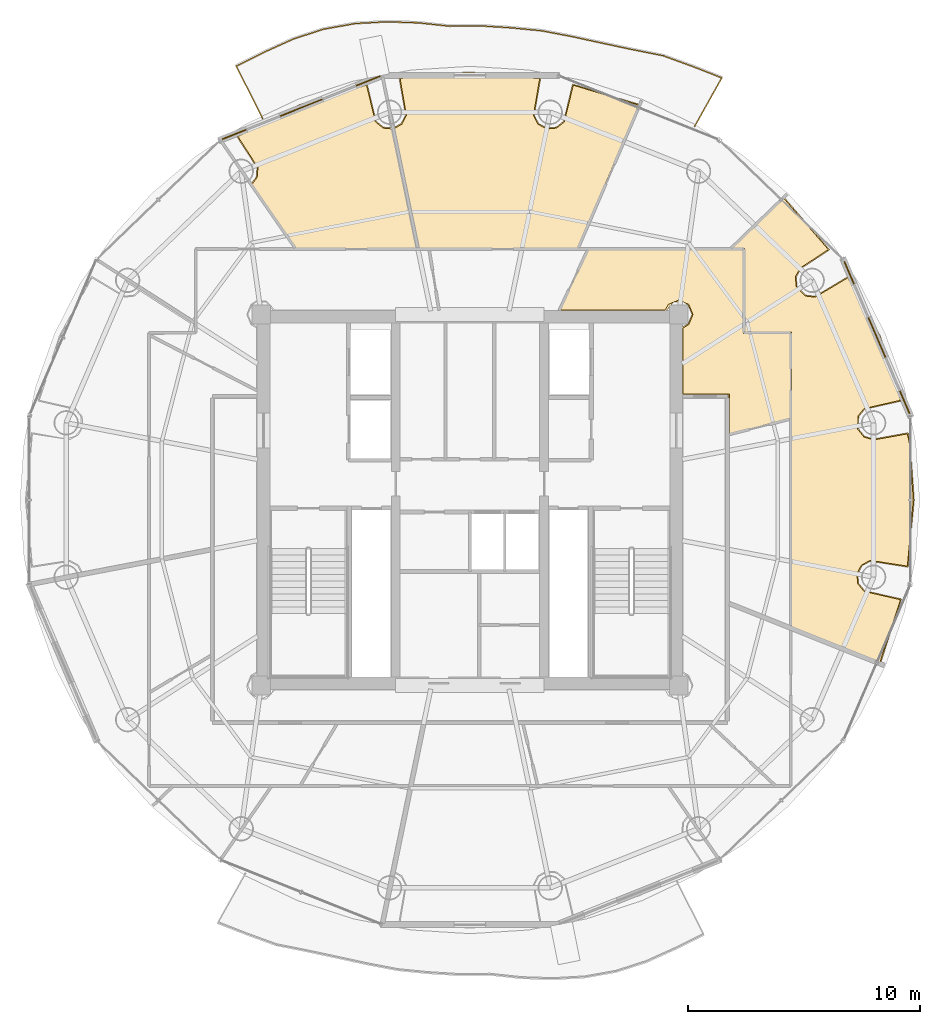
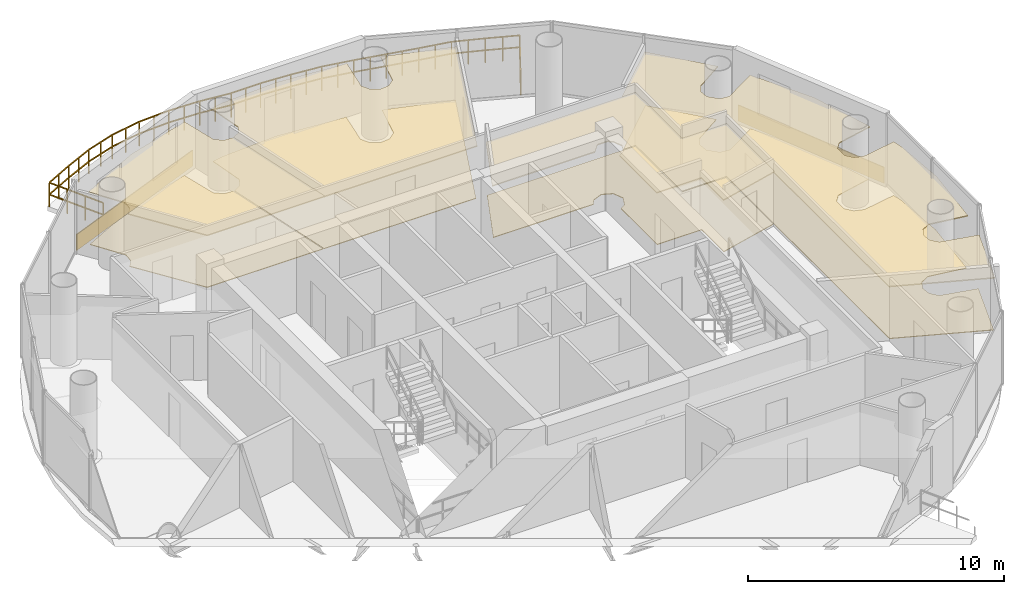
# One storey, part 23 of 23: 10 coverings, 1 railing.
"""IFC4 building model written with IfcOpenShell, lengths in metres."""

from ifc_helpers import new_model, si_unit, direction, frame, origin, origin_2d, place, context, subcontext, project, spatial, polyline, rectangle, outline, extrude, source, transform, mapped, material, layer, layer_set, type_object, element, save


model = new_model("IFC4")

# Units and contexts
model_context = context("Model", 3, precision=1e-05, world=origin(), true_north=direction((-0.2419218956, 0.970295726276)))
body_context = subcontext(model_context, "Body", "Model", "MODEL_VIEW")
ifc_project = project(units=[si_unit("LENGTHUNIT", "METRE"), si_unit("AREAUNIT", "SQUARE_METRE"), si_unit("VOLUMEUNIT", "CUBIC_METRE"), si_unit("PLANEANGLEUNIT", "RADIAN"), si_unit("MASSUNIT", "GRAM", prefix="KILO")], contexts=[model_context])

# Site, building, storey
site_placement = place(None, origin())
site = spatial("IfcSite", under=ifc_project, at=site_placement, CompositionType="ELEMENT")
building_placement = place(site_placement, origin())
building = spatial("IfcBuilding", under=site, at=building_placement, Name="Cobrevalo Terracotta Tower", CompositionType="ELEMENT")
storey_placement = place(building_placement, frame((0.0, 0.0, 255.699951171875)))
storey = spatial("IfcBuildingStorey", under=building, at=storey_placement, Name="L67", CompositionType="ELEMENT", Elevation=255.699951171875)

# Railing
ifc_material_1 = material(Name="Laminated structural glass and stainless steel", Category="steel")
railing_type = type_object("IfcRailingType", Name="Balcony lobe structural glass & terracotta-cap balustrade 1180 mm", PredefinedType="BALUSTRADE", material=ifc_material_1)
railing_placement = place(storey_placement, frame((47.685791015625, 42.896728515625, 0.0)))
element("IfcRailing", 1, at=railing_placement, inside=storey, type_object=railing_type, Name="L67 spiralling balcony lobe balustrade 1", PredefinedType="BALUSTRADE", context=body_context, shape_type="SweptSolid", body=[
    extrude(rectangle(XDim=0.048095703125, YDim=0.048095703125, at=origin_2d()), frame((0.0, 0.0, 1.15576171875), z_axis=(0.488054896693, 0.872812934032, 0.0), x_axis=(-0.872812934032, 0.488054896693, 0.0)), (0.0, 0.0, 1.0), 2.4130859375),
    extrude(rectangle(XDim=0.048095703125, YDim=0.048095703125, at=origin_2d()), frame((0.0, 0.0, 0.58984375), z_axis=(0.488054896693, 0.872812934032, 0.0), x_axis=(-0.872812934032, 0.488054896693, 0.0)), (0.0, 0.0, 1.0), 2.4130859375),
    extrude(rectangle(XDim=0.048095703125, YDim=0.048095703125, at=origin_2d()), frame((1.177734375, 2.106201171875, 1.15576171875), z_axis=(-0.931213623294, 0.364473850629, 0.0), x_axis=(-0.364473850629, -0.931213623294, 0.0)), (0.0, 0.0, 1.0), 1.359130859375),
    extrude(rectangle(XDim=0.048095703125, YDim=0.048095703125, at=origin_2d()), frame((1.177734375, 2.106201171875, 0.58984375), z_axis=(-0.931213623294, 0.364473850629, 0.0), x_axis=(-0.364473850629, -0.931213623294, 0.0)), (0.0, 0.0, 1.0), 1.359130859375),
    extrude(rectangle(XDim=0.048095703125, YDim=0.048095703125, at=origin_2d()), frame((-0.087890625, 2.6015625, 1.15576171875), z_axis=(-0.940020652617, 0.341117534954, 0.0), x_axis=(-0.341117534954, -0.940020652617, 0.0)), (0.0, 0.0, 1.0), 1.34765625),
    extrude(rectangle(XDim=0.048095703125, YDim=0.048095703125, at=origin_2d()), frame((-0.087890625, 2.6015625, 0.58984375), z_axis=(-0.940020652617, 0.341117534954, 0.0), x_axis=(-0.341117534954, -0.940020652617, 0.0)), (0.0, 0.0, 1.0), 1.34765625),
    extrude(rectangle(XDim=0.048095703125, YDim=0.048095703125, at=origin_2d()), frame((-1.354736328125, 3.061279296875, 1.15576171875), z_axis=(-0.98072598993, 0.195388158994, 0.0), x_axis=(-0.195388158994, -0.98072598993, 0.0)), (0.0, 0.0, 1.0), 1.3544921875),
    extrude(rectangle(XDim=0.048095703125, YDim=0.048095703125, at=origin_2d()), frame((-1.354736328125, 3.061279296875, 0.58984375), z_axis=(-0.98072598993, 0.195388158994, 0.0), x_axis=(-0.195388158994, -0.98072598993, 0.0)), (0.0, 0.0, 1.0), 1.3544921875),
    extrude(rectangle(XDim=0.048095703125, YDim=0.048095703125, at=origin_2d()), frame((-2.68310546875, 3.325927734375, 1.15576171875), z_axis=(-0.978008277413, 0.208566079006, 0.0), x_axis=(-0.208566079006, -0.978008277413, 0.0)), (0.0, 0.0, 1.0), 1.333251953125),
    extrude(rectangle(XDim=0.048095703125, YDim=0.048095703125, at=origin_2d()), frame((-2.68310546875, 3.325927734375, 0.58984375), z_axis=(-0.978008277413, 0.208566079006, 0.0), x_axis=(-0.208566079006, -0.978008277413, 0.0)), (0.0, 0.0, 1.0), 1.333251953125),
    extrude(rectangle(XDim=0.048095703125, YDim=0.048095703125, at=origin_2d()), frame((-3.987060546875, 3.60400390625, 1.15576171875), z_axis=(-0.977016459057, 0.213163877641, 0.0), x_axis=(-0.213163877641, -0.977016459057, 0.0)), (0.0, 0.0, 1.0), 1.3251953125),
    extrude(rectangle(XDim=0.048095703125, YDim=0.048095703125, at=origin_2d()), frame((-3.987060546875, 3.60400390625, 0.58984375), z_axis=(-0.977016459057, 0.213163877641, 0.0), x_axis=(-0.213163877641, -0.977016459057, 0.0)), (0.0, 0.0, 1.0), 1.3251953125),
    extrude(rectangle(XDim=0.048095703125, YDim=0.048095703125, at=origin_2d()), frame((-5.28173828125, 3.886474609375, 1.15576171875), z_axis=(-0.982370761762, 0.186943003175, 0.0), x_axis=(-0.186943003175, -0.982370761762, 0.0)), (0.0, 0.0, 1.0), 1.326904296875),
    extrude(rectangle(XDim=0.048095703125, YDim=0.048095703125, at=origin_2d()), frame((-5.28173828125, 3.886474609375, 0.58984375), z_axis=(-0.982370761762, 0.186943003175, 0.0), x_axis=(-0.186943003175, -0.982370761762, 0.0)), (0.0, 0.0, 1.0), 1.326904296875),
    extrude(rectangle(XDim=0.048095703125, YDim=0.048095703125, at=origin_2d()), frame((-6.585205078125, 4.134521484375, 1.15576171875), z_axis=(-0.995226772001, 0.097589304192, 0.0), x_axis=(-0.097589304192, -0.995226772001, 0.0)), (0.0, 0.0, 1.0), 1.325927734375),
    extrude(rectangle(XDim=0.048095703125, YDim=0.048095703125, at=origin_2d()), frame((-6.585205078125, 4.134521484375, 0.58984375), z_axis=(-0.995226772001, 0.097589304192, 0.0), x_axis=(-0.097589304192, -0.995226772001, 0.0)), (0.0, 0.0, 1.0), 1.325927734375),
    extrude(rectangle(XDim=0.048095703125, YDim=0.048095703125, at=origin_2d()), frame((-7.90478515625, 4.263916015625, 1.15576171875), z_axis=(-0.998067571491, 0.062137933167, 0.0), x_axis=(-0.062137933167, -0.998067571491, 0.0)), (0.0, 0.0, 1.0), 1.328125),
    extrude(rectangle(XDim=0.048095703125, YDim=0.048095703125, at=origin_2d()), frame((-7.90478515625, 4.263916015625, 0.58984375), z_axis=(-0.998067571491, 0.062137933167, 0.0), x_axis=(-0.062137933167, -0.998067571491, 0.0)), (0.0, 0.0, 1.0), 1.328125),
    extrude(rectangle(XDim=0.048095703125, YDim=0.048095703125, at=origin_2d()), frame((-9.230224609375, 4.346435546875, 1.15576171875), z_axis=(-0.999955928065, -0.009388393286, 0.0), x_axis=(0.009388393286, -0.999955928065, 0.0)), (0.0, 0.0, 1.0), 1.326171875),
    extrude(rectangle(XDim=0.048095703125, YDim=0.048095703125, at=origin_2d()), frame((-9.230224609375, 4.346435546875, 0.58984375), z_axis=(-0.999955928065, -0.009388393286, 0.0), x_axis=(0.009388393286, -0.999955928065, 0.0)), (0.0, 0.0, 1.0), 1.326171875),
    extrude(rectangle(XDim=0.048095703125, YDim=0.048095703125, at=origin_2d()), frame((-10.556396484375, 4.333984375, 1.15576171875), z_axis=(-0.994331591514, 0.106323497482, 0.0), x_axis=(-0.106323497482, -0.994331591514, 0.0)), (0.0, 0.0, 1.0), 1.357177734375),
    extrude(rectangle(XDim=0.048095703125, YDim=0.048095703125, at=origin_2d()), frame((-10.556396484375, 4.333984375, 0.58984375), z_axis=(-0.994331591514, 0.106323497482, 0.0), x_axis=(-0.106323497482, -0.994331591514, 0.0)), (0.0, 0.0, 1.0), 1.357177734375),
    extrude(rectangle(XDim=0.048095703125, YDim=0.048095703125, at=origin_2d()), frame((-11.90576171875, 4.478271484375, 1.15576171875), z_axis=(-0.99946419072, 0.032731200233, 0.0), x_axis=(-0.032731200233, -0.99946419072, 0.0)), (0.0, 0.0, 1.0), 1.364990234375),
    extrude(rectangle(XDim=0.048095703125, YDim=0.048095703125, at=origin_2d()), frame((-11.90576171875, 4.478271484375, 0.58984375), z_axis=(-0.99946419072, 0.032731200233, 0.0), x_axis=(-0.032731200233, -0.99946419072, 0.0)), (0.0, 0.0, 1.0), 1.364990234375),
    extrude(rectangle(XDim=0.048095703125, YDim=0.048095703125, at=origin_2d()), frame((-13.27001953125, 4.52294921875, 1.15576171875), z_axis=(-0.99845269063, -0.055607774407, 0.0), x_axis=(0.055607774407, -0.99845269063, 0.0)), (0.0, 0.0, 1.0), 1.374267578125),
    extrude(rectangle(XDim=0.048095703125, YDim=0.048095703125, at=origin_2d()), frame((-13.27001953125, 4.52294921875, 0.58984375), z_axis=(-0.99845269063, -0.055607774407, 0.0), x_axis=(0.055607774407, -0.99845269063, 0.0)), (0.0, 0.0, 1.0), 1.374267578125),
    extrude(rectangle(XDim=0.048095703125, YDim=0.048095703125, at=origin_2d()), frame((-14.64208984375, 4.446533203125, 1.15576171875), z_axis=(-0.9843537128, -0.17620376868, 0.0), x_axis=(0.17620376868, -0.9843537128, 0.0)), (0.0, 0.0, 1.0), 1.370361328125),
    extrude(rectangle(XDim=0.048095703125, YDim=0.048095703125, at=origin_2d()), frame((-14.64208984375, 4.446533203125, 0.58984375), z_axis=(-0.9843537128, -0.17620376868, 0.0), x_axis=(0.17620376868, -0.9843537128, 0.0)), (0.0, 0.0, 1.0), 1.370361328125),
    extrude(rectangle(XDim=0.048095703125, YDim=0.048095703125, at=origin_2d()), frame((-15.990966796875, 4.205078125, 1.15576171875), z_axis=(-0.951372404124, -0.308043095477, 0.0), x_axis=(0.308043095477, -0.951372404124, 0.0)), (0.0, 0.0, 1.0), 1.37109375),
    extrude(rectangle(XDim=0.048095703125, YDim=0.048095703125, at=origin_2d()), frame((-15.990966796875, 4.205078125, 0.58984375), z_axis=(-0.951372404124, -0.308043095477, 0.0), x_axis=(0.308043095477, -0.951372404124, 0.0)), (0.0, 0.0, 1.0), 1.37109375),
    extrude(rectangle(XDim=0.048095703125, YDim=0.048095703125, at=origin_2d()), frame((-17.29541015625, 3.78271484375, 1.15576171875), z_axis=(-0.911044048274, -0.412309037136, 0.0), x_axis=(0.412309037136, -0.911044048274, 0.0)), (0.0, 0.0, 1.0), 1.3671875),
    extrude(rectangle(XDim=0.048095703125, YDim=0.048095703125, at=origin_2d()), frame((-17.29541015625, 3.78271484375, 0.58984375), z_axis=(-0.911044048274, -0.412309037136, 0.0), x_axis=(0.412309037136, -0.911044048274, 0.0)), (0.0, 0.0, 1.0), 1.3671875),
    extrude(rectangle(XDim=0.048095703125, YDim=0.048095703125, at=origin_2d()), frame((-18.541015625, 3.218994140625, 1.15576171875), z_axis=(-0.895178026119, -0.445708763155, 0.0), x_axis=(0.445708763155, -0.895178026119, 0.0)), (0.0, 0.0, 1.0), 1.36328125),
    extrude(rectangle(XDim=0.048095703125, YDim=0.048095703125, at=origin_2d()), frame((-18.541015625, 3.218994140625, 0.58984375), z_axis=(-0.895178026119, -0.445708763155, 0.0), x_axis=(0.445708763155, -0.895178026119, 0.0)), (0.0, 0.0, 1.0), 1.36328125),
    extrude(rectangle(XDim=0.048095703125, YDim=0.048095703125, at=origin_2d()), frame((-19.761474609375, 2.611328125, 1.15576171875), z_axis=(0.4506567589, -0.892697309091, 0.0), x_axis=(0.892697309091, 0.4506567589, 0.0)), (0.0, 0.0, 1.0), 2.521728515625),
    extrude(rectangle(XDim=0.048095703125, YDim=0.048095703125, at=origin_2d()), frame((-19.761474609375, 2.611328125, 0.58984375), z_axis=(0.4506567589, -0.892697309091, 0.0), x_axis=(0.892697309091, 0.4506567589, 0.0)), (0.0, 0.0, 1.0), 2.521728515625),
    extrude(rectangle(XDim=0.0419921875, YDim=0.0419921875, at=origin_2d()), origin(), (0.0, 0.0, 1.0), 1.1318359375),
    extrude(rectangle(XDim=0.0419921875, YDim=0.0419921875, at=origin_2d()), frame((0.392578125, 0.7021484375, 0.0)), (0.0, 0.0, 1.0), 1.1318359375),
    extrude(rectangle(XDim=0.0419921875, YDim=0.0419921875, at=origin_2d()), frame((0.78515625, 1.404052734375, 0.0)), (0.0, 0.0, 1.0), 1.1318359375),
    extrude(rectangle(XDim=0.0419921875, YDim=0.0419921875, at=origin_2d()), frame((1.177734375, 2.106201171875, 0.0)), (0.0, 0.0, 1.0), 1.1318359375),
    extrude(rectangle(XDim=0.0419921875, YDim=0.0419921875, at=origin_2d()), frame((0.544921875, 2.35400390625, 0.0)), (0.0, 0.0, 1.0), 1.1318359375),
    extrude(rectangle(XDim=0.0419921875, YDim=0.0419921875, at=origin_2d()), frame((-0.087890625, 2.6015625, 0.0)), (0.0, 0.0, 1.0), 1.1318359375),
    extrude(rectangle(XDim=0.0419921875, YDim=0.0419921875, at=origin_2d()), frame((-0.72119140625, 2.83154296875, 0.0)), (0.0, 0.0, 1.0), 1.1318359375),
    extrude(rectangle(XDim=0.0419921875, YDim=0.0419921875, at=origin_2d()), frame((-1.354736328125, 3.061279296875, 0.0)), (0.0, 0.0, 1.0), 1.1318359375),
    extrude(rectangle(XDim=0.0419921875, YDim=0.0419921875, at=origin_2d()), frame((-2.01904296875, 3.193603515625, 0.0)), (0.0, 0.0, 1.0), 1.1318359375),
    extrude(rectangle(XDim=0.0419921875, YDim=0.0419921875, at=origin_2d()), frame((-2.68310546875, 3.325927734375, 0.0)), (0.0, 0.0, 1.0), 1.1318359375),
    extrude(rectangle(XDim=0.0419921875, YDim=0.0419921875, at=origin_2d()), frame((-3.3349609375, 3.46484375, 0.0)), (0.0, 0.0, 1.0), 1.1318359375),
    extrude(rectangle(XDim=0.0419921875, YDim=0.0419921875, at=origin_2d()), frame((-3.987060546875, 3.60400390625, 0.0)), (0.0, 0.0, 1.0), 1.1318359375),
    extrude(rectangle(XDim=0.0419921875, YDim=0.0419921875, at=origin_2d()), frame((-4.63427734375, 3.7451171875, 0.0)), (0.0, 0.0, 1.0), 1.1318359375),
    extrude(rectangle(XDim=0.0419921875, YDim=0.0419921875, at=origin_2d()), frame((-5.28173828125, 3.886474609375, 0.0)), (0.0, 0.0, 1.0), 1.1318359375),
    extrude(rectangle(XDim=0.0419921875, YDim=0.0419921875, at=origin_2d()), frame((-5.93359375, 4.010498046875, 0.0)), (0.0, 0.0, 1.0), 1.1318359375),
    extrude(rectangle(XDim=0.0419921875, YDim=0.0419921875, at=origin_2d()), frame((-6.585205078125, 4.134521484375, 0.0)), (0.0, 0.0, 1.0), 1.1318359375),
    extrude(rectangle(XDim=0.0419921875, YDim=0.0419921875, at=origin_2d()), frame((-7.2451171875, 4.19921875, 0.0)), (0.0, 0.0, 1.0), 1.1318359375),
    extrude(rectangle(XDim=0.0419921875, YDim=0.0419921875, at=origin_2d()), frame((-7.90478515625, 4.263916015625, 0.0)), (0.0, 0.0, 1.0), 1.1318359375),
    extrude(rectangle(XDim=0.0419921875, YDim=0.0419921875, at=origin_2d()), frame((-8.5673828125, 4.30517578125, 0.0)), (0.0, 0.0, 1.0), 1.1318359375),
    extrude(rectangle(XDim=0.0419921875, YDim=0.0419921875, at=origin_2d()), frame((-9.230224609375, 4.346435546875, 0.0)), (0.0, 0.0, 1.0), 1.1318359375),
    extrude(rectangle(XDim=0.0419921875, YDim=0.0419921875, at=origin_2d()), frame((-9.893310546875, 4.34033203125, 0.0)), (0.0, 0.0, 1.0), 1.1318359375),
    extrude(rectangle(XDim=0.0419921875, YDim=0.0419921875, at=origin_2d()), frame((-10.556396484375, 4.333984375, 0.0)), (0.0, 0.0, 1.0), 1.1318359375),
    extrude(rectangle(XDim=0.0419921875, YDim=0.0419921875, at=origin_2d()), frame((-11.23095703125, 4.40625, 0.0)), (0.0, 0.0, 1.0), 1.1318359375),
    extrude(rectangle(XDim=0.0419921875, YDim=0.0419921875, at=origin_2d()), frame((-11.90576171875, 4.478271484375, 0.0)), (0.0, 0.0, 1.0), 1.1318359375),
    extrude(rectangle(XDim=0.0419921875, YDim=0.0419921875, at=origin_2d()), frame((-12.587890625, 4.50048828125, 0.0)), (0.0, 0.0, 1.0), 1.1318359375),
    extrude(rectangle(XDim=0.0419921875, YDim=0.0419921875, at=origin_2d()), frame((-13.27001953125, 4.52294921875, 0.0)), (0.0, 0.0, 1.0), 1.1318359375),
    extrude(rectangle(XDim=0.0419921875, YDim=0.0419921875, at=origin_2d()), frame((-13.9560546875, 4.48486328125, 0.0)), (0.0, 0.0, 1.0), 1.1318359375),
    extrude(rectangle(XDim=0.0419921875, YDim=0.0419921875, at=origin_2d()), frame((-14.64208984375, 4.446533203125, 0.0)), (0.0, 0.0, 1.0), 1.1318359375),
    extrude(rectangle(XDim=0.0419921875, YDim=0.0419921875, at=origin_2d()), frame((-15.31640625, 4.32568359375, 0.0)), (0.0, 0.0, 1.0), 1.1318359375),
    extrude(rectangle(XDim=0.0419921875, YDim=0.0419921875, at=origin_2d()), frame((-15.990966796875, 4.205078125, 0.0)), (0.0, 0.0, 1.0), 1.1318359375),
    extrude(rectangle(XDim=0.0419921875, YDim=0.0419921875, at=origin_2d()), frame((-16.64306640625, 3.993896484375, 0.0)), (0.0, 0.0, 1.0), 1.1318359375),
    extrude(rectangle(XDim=0.0419921875, YDim=0.0419921875, at=origin_2d()), frame((-17.29541015625, 3.78271484375, 0.0)), (0.0, 0.0, 1.0), 1.1318359375),
    extrude(rectangle(XDim=0.0419921875, YDim=0.0419921875, at=origin_2d()), frame((-17.918212890625, 3.5009765625, 0.0)), (0.0, 0.0, 1.0), 1.1318359375),
    extrude(rectangle(XDim=0.0419921875, YDim=0.0419921875, at=origin_2d()), frame((-18.541015625, 3.218994140625, 0.0)), (0.0, 0.0, 1.0), 1.1318359375),
    extrude(rectangle(XDim=0.0419921875, YDim=0.0419921875, at=origin_2d()), frame((-19.1513671875, 2.9150390625, 0.0)), (0.0, 0.0, 1.0), 1.1318359375),
    extrude(rectangle(XDim=0.0419921875, YDim=0.0419921875, at=origin_2d()), frame((-19.761474609375, 2.611328125, 0.0)), (0.0, 0.0, 1.0), 1.1318359375),
    extrude(rectangle(XDim=0.0419921875, YDim=0.0419921875, at=origin_2d()), frame((-19.382568359375, 1.86083984375, 0.0)), (0.0, 0.0, 1.0), 1.1318359375),
    extrude(rectangle(XDim=0.0419921875, YDim=0.0419921875, at=origin_2d()), frame((-19.00390625, 1.110595703125, 0.0)), (0.0, 0.0, 1.0), 1.1318359375),
    extrude(rectangle(XDim=0.0419921875, YDim=0.0419921875, at=origin_2d()), frame((-18.625, 0.360107421875, 0.0)), (0.0, 0.0, 1.0), 1.1318359375),
])

# Coverings
ifc_material_2 = material(Name="Engineered Brazilian hardwood flooring", Category="wood")
ifc_layer_1 = layer(ifc_material_2, 0.028076171875)
ifc_layer_set_1 = layer_set([ifc_layer_1], Name="Engineered Brazilian hardwood flooring")
covering_type_1 = type_object("IfcCoveringType", Name="Engineered Hardwood Suite Flooring 28", PredefinedType="FLOORING", material=ifc_layer_set_1)
covering_1_placement = place(storey_placement, origin())
element("IfcCovering", 2, at=covering_1_placement, inside=storey, type_object=covering_type_1, Name="Flat L67A Penthouse Living and Dining Room floor finish", PredefinedType="FLOORING", context=body_context, shape_type="SweptSolid", body=[
    extrude(outline(polyline([(51.52978515625, 39.81396484375), (53.4560546875, 37.599365234375), (52.2451171875, 36.805419921875), (52.035400390625, 36.43017578125), (52.06982421875, 36.001953125), (52.462890625, 35.593994140625), (52.8896484375, 35.5439453125), (54.300048828125, 36.382568359375), (55.66455078125, 33.848876953125), (56.56494140625, 31.1005859375), (55.00244140625, 30.74462890625), (54.727294921875, 30.41455078125), (54.72314453125, 29.84814453125), (54.9931640625, 29.51416015625), (55.4033203125, 29.38623046875), (56.8642578125, 29.65087890625), (56.956298828125, 29.2041015625), (57.119873046875, 26.800048828125), (56.8642578125, 23.948974609375), (55.259033203125, 24.198486328125), (54.881591796875, 23.9931640625), (54.681884765625, 23.612548828125), (54.727294921875, 23.185302734375), (55.00244140625, 22.855224609375), (56.56494140625, 22.49951171875), (55.669921875, 19.766357421875), (51.85498046875, 21.289794921875), (51.85498046875, 34.030029296875), (49.844970703125, 34.030029296875), (49.844970703125, 37.64501953125), (49.27978515625, 37.64501953125), (51.52978515625, 39.81396484375)])), origin(), (0.0, 0.0, 1.0), 0.030029296875),
])
covering_2_placement = place(storey_placement, origin())
element("IfcCovering", 3, at=covering_2_placement, inside=storey, type_object=covering_type_1, Name="Flat L67A Penthouse Family Lounge floor finish", PredefinedType="FLOORING", context=body_context, shape_type="SweptSolid", body=[
    extrude(outline(polyline([(34.71728515625, 42.80712890625), (35.064453125, 43.003173828125), (35.26416015625, 43.3837890625), (34.994140625, 44.964599609375), (35.504150390625, 45.062255859375), (38.0, 45.219970703125), (41.005859375, 44.964599609375), (40.73583984375, 43.3837890625), (40.935546875, 43.003173828125), (41.312744140625, 42.797607421875), (41.74072265625, 42.83642578125), (42.074951171875, 43.1064453125), (42.45947265625, 44.68603515625), (45.294189453125, 43.8251953125), (42.638427734375, 37.64501953125), (35.782470703125, 37.64501953125), (34.71728515625, 42.80712890625)])), origin(), (0.0, 0.0, 1.0), 0.030029296875),
])
covering_3_placement = place(storey_placement, origin())
element("IfcCovering", 4, at=covering_3_placement, inside=storey, type_object=covering_type_1, Name="Flat L67A Principal Guest Bedroom floor finish", PredefinedType="FLOORING", context=body_context, shape_type="SweptSolid", body=[
    extrude(outline(polyline([(28.59716796875, 40.399658203125), (28.82763671875, 40.706298828125), (28.861572265625, 41.134521484375), (28.00146484375, 42.4697265625), (30.682861328125, 43.817626953125), (33.54052734375, 44.68603515625), (33.925048828125, 43.1064453125), (34.25927734375, 42.83642578125), (34.678466796875, 42.796630859375), (35.74169921875, 37.64501953125), (30.506591796875, 37.64501953125), (28.59716796875, 40.399658203125)])), origin(), (0.0, 0.0, 1.0), 0.030029296875),
])
ifc_material_3 = material(Name="Honed terracotta and granite tile", Category="masonry")
ifc_layer_2 = layer(ifc_material_3, 0.034912109375)
ifc_layer_set_2 = layer_set([ifc_layer_2], Name="Honed terracotta and granite tile")
covering_type_2 = type_object("IfcCoveringType", Name="Honed Terracotta & Granite Interior Flooring 35", PredefinedType="FLOORING", material=ifc_layer_set_2)
covering_4_placement = place(storey_placement, origin())
element("IfcCovering", 5, at=covering_4_placement, inside=storey, type_object=covering_type_2, Name="Flat L67A Apartment Entrance Hall floor finish", PredefinedType="FLOORING", context=body_context, shape_type="SweptSolid", body=[
    extrude(outline(polyline([(47.195068359375, 31.3798828125), (47.195068359375, 34.218505859375), (47.438720703125, 34.361328125), (47.620361328125, 34.800048828125), (47.438720703125, 35.23876953125), (47.0, 35.42041015625), (46.561279296875, 35.23876953125), (46.41845703125, 34.9951171875), (41.885009765625, 34.9951171875), (43.115234375, 37.60498046875), (49.804931640625, 37.60498046875), (49.804931640625, 33.989990234375), (51.81494140625, 33.989990234375), (51.81494140625, 30.312255859375), (49.205078125, 29.652587890625), (49.205078125, 31.3798828125), (47.195068359375, 31.3798828125)])), origin(), (0.0, 0.0, 1.0), 0.030029296875),
])
ifc_material_4 = material(Name="Acoustic perforated gypsum ceiling", Category="gypsum")
ifc_layer_3 = layer(ifc_material_4, 0.050048828125)
ifc_layer_set_3 = layer_set([ifc_layer_3], Name="Acoustic perforated gypsum ceiling")
covering_type_3 = type_object("IfcCoveringType", Name="Perforated Acoustic Gypsum Ceiling 50", PredefinedType="CEILING", material=ifc_layer_set_3)
covering_5_placement = place(storey_placement, frame((0.0, 0.0, 2.5)))
element("IfcCovering", 6, at=covering_5_placement, inside=storey, type_object=covering_type_3, Name="Flat L67A Penthouse Living and Dining Room acoustic ceiling", PredefinedType="CEILING", context=body_context, shape_type="SweptSolid", body=[
    extrude(outline(polyline([(51.531982421875, 39.87841796875), (53.51953125, 37.586669921875), (52.2763671875, 36.772705078125), (52.07958984375, 36.420654296875), (52.11181640625, 36.0185546875), (52.48095703125, 35.635498046875), (52.881591796875, 35.588623046875), (54.312255859375, 36.44384765625), (55.7060546875, 33.86669921875), (56.6181640625, 31.06494140625), (55.02734375, 30.70703125), (54.76904296875, 30.39697265625), (54.764892578125, 29.865234375), (55.0185546875, 29.551513671875), (55.40380859375, 29.431396484375), (56.899169921875, 29.703369140625), (57.0009765625, 29.210205078125), (57.1650390625, 26.800048828125), (56.899169921875, 23.896484375), (55.268310546875, 24.154296875), (54.913818359375, 23.96142578125), (54.726318359375, 23.60400390625), (54.76904296875, 23.202880859375), (55.02734375, 22.89306640625), (56.6181640625, 22.53515625), (55.69677734375, 19.707275390625), (51.81005859375, 21.25927734375), (51.81005859375, 33.985107421875), (49.800048828125, 33.985107421875), (49.800048828125, 37.60009765625), (49.168212890625, 37.60009765625), (51.531982421875, 39.87841796875)])), origin(), (0.0, 0.0, 1.0), 0.050048828125),
])
covering_6_placement = place(storey_placement, frame((0.0, 0.0, 2.5)))
element("IfcCovering", 7, at=covering_6_placement, inside=storey, type_object=covering_type_3, Name="Flat L67A Penthouse Family Lounge acoustic ceiling", PredefinedType="CEILING", context=body_context, shape_type="SweptSolid", body=[
    extrude(outline(polyline([(34.6650390625, 42.837890625), (35.0322265625, 43.034912109375), (35.2197265625, 43.39208984375), (34.94091796875, 45.000244140625), (35.49853515625, 45.107177734375), (38.0, 45.26513671875), (41.05908203125, 45.000244140625), (40.7802734375, 43.39208984375), (40.9677734375, 43.034912109375), (41.322021484375, 42.842041015625), (41.7236328125, 42.87841796875), (42.03759765625, 43.1318359375), (42.424560546875, 44.738525390625), (45.35498046875, 43.852783203125), (42.668212890625, 37.60009765625), (35.745849609375, 37.60009765625), (34.6650390625, 42.837890625)])), origin(), (0.0, 0.0, 1.0), 0.050048828125),
])
covering_7_placement = place(storey_placement, frame((0.0, 0.0, 2.5)))
element("IfcCovering", 8, at=covering_7_placement, inside=storey, type_object=covering_type_3, Name="Flat L67A Principal Guest Bedroom acoustic ceiling", PredefinedType="CEILING", context=body_context, shape_type="SweptSolid", body=[
    extrude(outline(polyline([(28.537109375, 40.407470703125), (28.785400390625, 40.72265625), (28.8173828125, 41.124755859375), (27.937744140625, 42.482421875), (30.666259765625, 43.859619140625), (33.575439453125, 44.738525390625), (33.96240234375, 43.1318359375), (34.2763671875, 42.87841796875), (34.71435546875, 42.845703125), (35.796875, 37.60009765625), (30.483154296875, 37.60009765625), (28.537109375, 40.407470703125)])), origin(), (0.0, 0.0, 1.0), 0.050048828125),
])
covering_8_placement = place(storey_placement, frame((0.0, 0.0, 2.5)))
element("IfcCovering", 9, at=covering_8_placement, inside=storey, type_object=covering_type_3, Name="Flat L67A Apartment Entrance Hall acoustic ceiling", PredefinedType="CEILING", context=body_context, shape_type="SweptSolid", body=[
    extrude(outline(polyline([(47.14990234375, 31.3349609375), (47.14990234375, 34.25537109375), (47.40625, 34.393798828125), (47.574462890625, 34.800048828125), (47.40625, 35.206298828125), (47.219970703125, 35.330810546875), (46.780029296875, 35.330810546875), (46.455322265625, 34.949951171875), (41.81396484375, 34.949951171875), (43.086669921875, 37.64990234375), (49.85009765625, 37.64990234375), (49.85009765625, 34.034912109375), (51.860107421875, 34.034912109375), (51.860107421875, 30.27734375), (49.159912109375, 29.5947265625), (49.159912109375, 31.3349609375), (47.14990234375, 31.3349609375)])), origin(), (0.0, 0.0, 1.0), 0.050048828125),
])
ifc_material_5 = material(Name="Glazed terracotta facade cladding tile", Category="masonry")
ifc_layer_4 = layer(ifc_material_5, 0.044921875)
ifc_layer_set_4 = layer_set([ifc_layer_4], Name="Glazed terracotta facade cladding tile")
covering_type_4 = type_object("IfcCoveringType", Name="Architectural terracotta rainscreen spandrel cladding 45 mm", PredefinedType="CLADDING", material=ifc_layer_set_4)
shared_shape_1 = source(origin(), body_context, "Body", "SweptSolid", [
    extrude(rectangle(XDim=7.125244140625, YDim=0.044921875, at=origin_2d()), origin(), (0.0, 0.0, 1.0), 0.760009765625),
])
covering_9_placement = place(storey_placement, frame((55.5517578125, 33.807373046875, 0.0400390625), z_axis=(0.0, 0.0, 1.0), x_axis=(-0.394828845134, 0.918754691444, 0.0)))
element("IfcCovering", 10, at=covering_9_placement, inside=storey, type_object=covering_type_4, Name="L67 terracotta spandrel cladding S01", PredefinedType="CLADDING", context=body_context, shape_type="MappedRepresentation", body=[
    mapped(shared_shape_1, transform((0.0, 0.0, 0.0), scale=1.0)),
])
shared_shape_2 = source(origin(), body_context, "Body", "SweptSolid", [
    extrude(rectangle(XDim=7.318359375, YDim=0.044921875, at=origin_2d()), origin(), (0.0, 0.0, 1.0), 0.760009765625),
])
covering_10_placement = place(storey_placement, frame((30.729736328125, 43.71728515625, 0.0400390625), z_axis=(0.0, 0.0, 1.0), x_axis=(-0.92871833374, -0.370785998353, 0.0)))
element("IfcCovering", 11, at=covering_10_placement, inside=storey, type_object=covering_type_4, Name="L67 terracotta spandrel cladding S05", PredefinedType="CLADDING", context=body_context, shape_type="MappedRepresentation", body=[
    mapped(shared_shape_2, transform((0.0, 0.0, 0.0), scale=1.0)),
])

save(model, "model.ifc")
